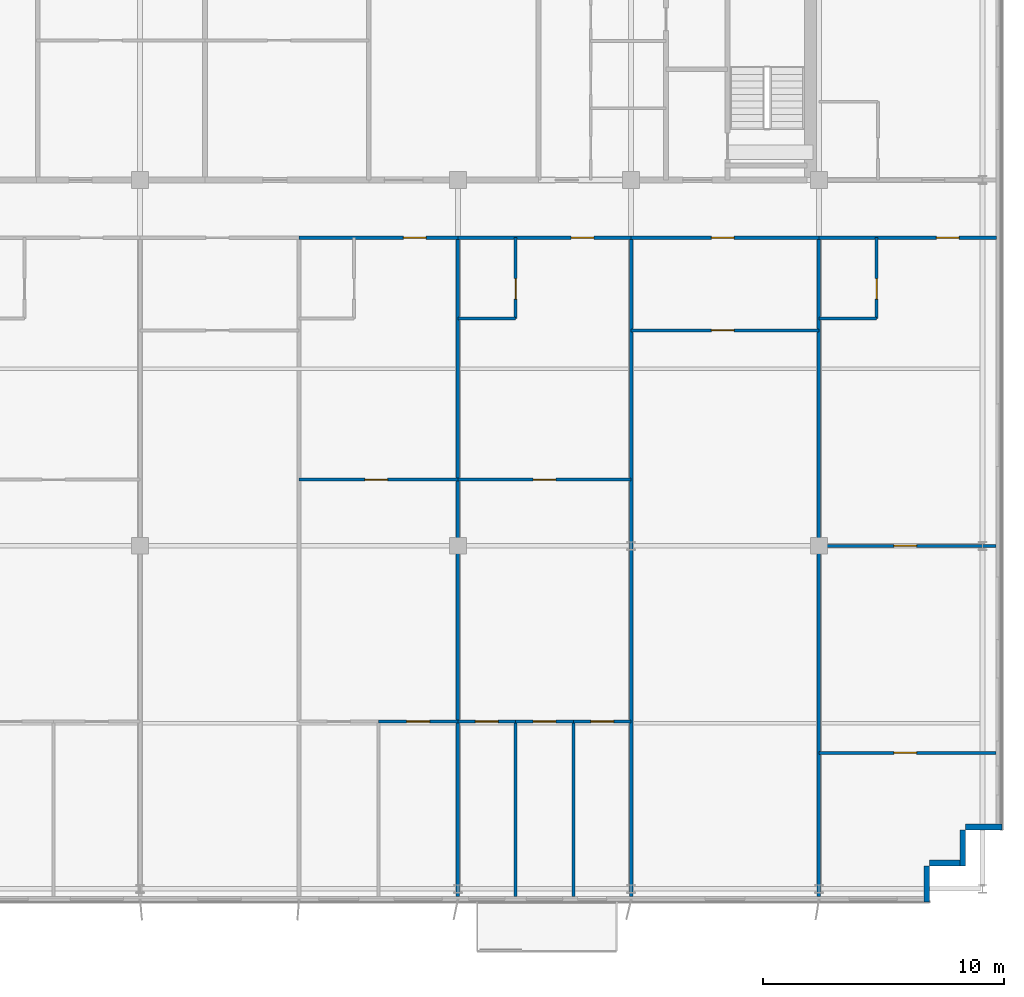
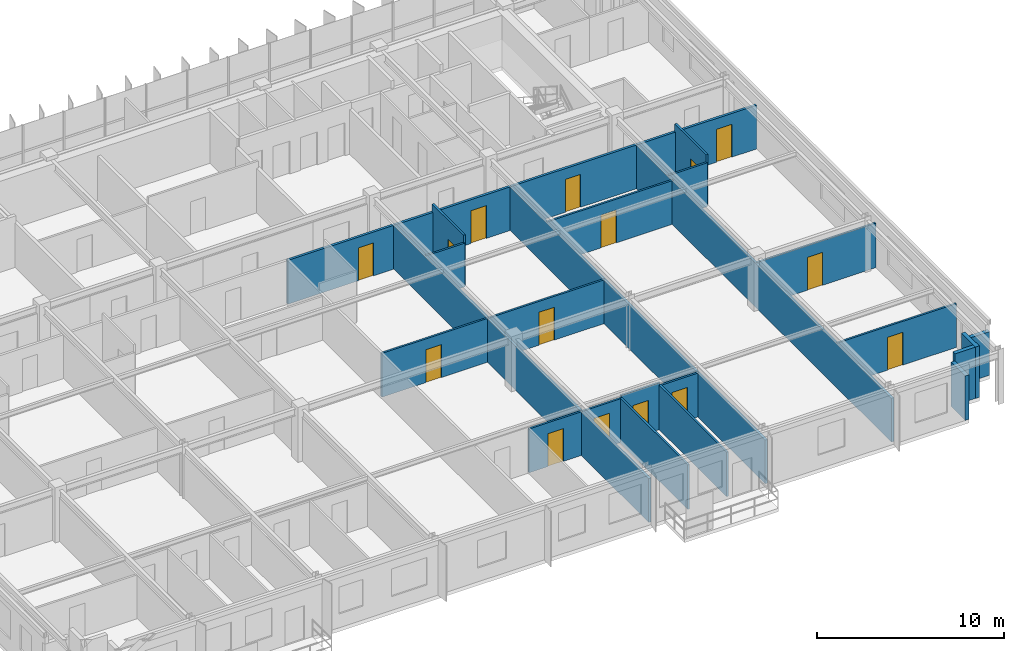
# One storey, part 18 of 23: 26 walls, 15 doors, 15 openings.
"""IFC4 building model written with IfcOpenShell, lengths in metres."""

from ifc_helpers import new_model, si_unit, direction, frame, frame_2d, origin, place, context, subcontext, project, spatial, rectangle, extrude, source, transform, mapped, material, layer, layer_set, type_object, element, fill, save


model = new_model("IFC4")

# Units and contexts
model_context = context("Model", 3, precision=1e-05, world=origin(), true_north=direction((0.0, 1.0)))
body_context = subcontext(model_context, "Body", "Model", "MODEL_VIEW")
ifc_project = project(units=[si_unit("LENGTHUNIT", "METRE"), si_unit("AREAUNIT", "SQUARE_METRE"), si_unit("VOLUMEUNIT", "CUBIC_METRE"), si_unit("PLANEANGLEUNIT", "RADIAN"), si_unit("MASSUNIT", "GRAM", prefix="KILO")], contexts=[model_context])

# Site, building, storey
site_placement = place(None, origin())
site = spatial("IfcSite", under=ifc_project, at=site_placement, CompositionType="ELEMENT")
building_placement = place(site_placement, origin())
building = spatial("IfcBuilding", under=site, at=building_placement, Name="Trelvane Seafront Commons", CompositionType="ELEMENT")
storey_placement = place(building_placement, frame((0.0, 0.0, 222.89990234375)))
storey = spatial("IfcBuildingStorey", under=building, at=storey_placement, Name="L58", CompositionType="ELEMENT", Elevation=222.89990234375)

# Walls
ifc_material_1 = material(Name="Precast concrete C40/50", Category="concrete")
ifc_layer_1 = layer(ifc_material_1, 0.239990234375, Name="ARCH-WALL-EXT240")
ifc_layer_set_1 = layer_set([ifc_layer_1], Name="Precast concrete C40/50")
wall_type_1 = type_object("IfcWallType", Name="ARCH-WALL-EXT240", PredefinedType="SOLIDWALL", material=ifc_layer_set_1)
wall_1_placement = place(storey_placement, frame((66.39990234375, 6.52001953125, 0.0), z_axis=(0.0, 0.0, 1.0), x_axis=(-1.0, 0.0, 0.0)))
element("IfcWall", 1, at=wall_1_placement, inside=storey, type_object=wall_type_1, Name="EW-L58-01177", PredefinedType="SOLIDWALL", context=body_context, shape_type="SweptSolid", body=[
    extrude(rectangle(XDim=1.5, YDim=0.239990234375, at=frame_2d((0.75, 0.0))), origin(), (0.0, 0.0, 1.0), 2.860107421875),
])
for number, where, z_axis, x_axis, name in (
    (2, (64.780029296875, 6.39990234375, 0.0), (0.0, 0.0, 1.0), (0.0, -1.0, 0.0), "EW-L58-01178"),
    (3, (64.89990234375, 5.02001953125, 0.0), (0.0, 0.0, 1.0), (-1.0, 0.0, 0.0), "EW-L58-01179"),
):
    element("IfcWall", number, at=place(storey_placement, frame(where, z_axis=z_axis, x_axis=x_axis)), inside=storey, type_object=wall_type_1, Name=name, PredefinedType="SOLIDWALL", context=body_context, shape_type="SweptSolid", body=[
        extrude(rectangle(XDim=1.5, YDim=0.239990234375, at=frame_2d((0.75, 0.0))), origin(), (0.0, 0.0, 1.0), 3.360107421875),
    ])
wall_2_placement = place(storey_placement, frame((63.280029296875, 4.89990234375, 0.0), z_axis=(0.0, 0.0, 1.0), x_axis=(0.0, -1.0, 0.0)))
element("IfcWall", 4, at=wall_2_placement, inside=storey, type_object=wall_type_1, Name="EW-L58-01180", PredefinedType="SOLIDWALL", context=body_context, shape_type="SweptSolid", body=[
    extrude(rectangle(XDim=1.5, YDim=0.239990234375, at=frame_2d((0.75, 0.0))), origin(), (0.0, 0.0, 1.0), 2.91015625),
])

# Wall, opening, door
ifc_material_2 = material(Name="Gypsum Drywall Acoustic Partition")
ifc_layer_2 = layer(ifc_material_2, 0.1201171875, Name="ARCH-WALL-PART120")
ifc_layer_set_2 = layer_set([ifc_layer_2], Name="Gypsum Drywall Acoustic Partition")
wall_type_2 = type_object("IfcWallType", Name="ARCH-WALL-PART120", PredefinedType="PARTITIONING", material=ifc_layer_set_2)
wall_3_placement = place(storey_placement, frame((37.199951171875, 20.949951171875, 0.0), z_axis=(0.0, 0.0, 1.0), x_axis=(1.0, 0.0, 0.0)))
wall_3 = element("IfcWall", 5, at=wall_3_placement, inside=storey, type_object=wall_type_2, Name="W-L58-U5-KL-081", PredefinedType="PARTITIONING", context=body_context, shape_type="SweptSolid", body=[
    extrude(rectangle(XDim=6.60009765625, YDim=0.1201171875, at=frame_2d((3.300048828125, 0.0))), origin(), (0.0, 0.0, 1.0), 2.860107421875),
])
opening_1_placement = place(wall_3_placement, frame((2.73388671875, 0.0, 0.0)))
opening_1 = element("IfcOpeningElement", 6, at=opening_1_placement, cuts=wall_3, Name="Opening D-L58-51", PredefinedType="OPENING", context=body_context, shape_type="SweptSolid", body=[
    extrude(rectangle(XDim=0.949951171875, YDim=2.14990234375, at=frame_2d((0.47509765625, 1.074951171875))), frame((0.0, 0.070068359375, 0.0), z_axis=(0.0, -1.0, 0.0), x_axis=(1.0, 0.0, 0.0)), (0.0, 0.0, 1.0), 0.14013671875),
])
ifc_material_3 = material(Name="Acoustic timber door leaf", Category="wood")
door_type_1 = type_object("IfcDoorType", Name="ARCH-DR-INT950", OperationType="NOTDEFINED", PredefinedType="DOOR", material=ifc_material_3)
shared_shape_1 = source(origin(), body_context, "Body", "SweptSolid", [
    extrude(rectangle(XDim=0.949951171875, YDim=2.14990234375, at=frame_2d((0.47509765625, 1.074951171875))), frame((0.0, 0.02490234375, 0.0), z_axis=(0.0, -1.0, 0.0), x_axis=(1.0, 0.0, 0.0)), (0.0, 0.0, 1.0), 0.050048828125),
])
door_1_placement = place(opening_1_placement, origin())
door_1 = element("IfcDoor", 7, at=door_1_placement, inside=storey, type_object=door_type_1, Name="L58 Door 51", OperationType="SINGLE_SWING_LEFT", OverallHeight=2.14990234375, OverallWidth=0.949951171875, PredefinedType="DOOR", context=body_context, shape_type="MappedRepresentation", body=[
    mapped(shared_shape_1, transform((0.0, 0.0, 0.0), x_axis=(1.0, 0.0, 0.0), y_axis=(0.0, 1.0, 0.0), z_axis=(0.0, 0.0, 1.0), scale=1.0)),
])
fill(opening_1, door_1)

wall_4_placement = place(storey_placement, frame((40.5, 10.89990234375, 0.0), z_axis=(0.0, 0.0, 1.0), x_axis=(1.0, 0.0, 0.0)))
wall_4 = element("IfcWall", 8, at=wall_4_placement, inside=storey, type_object=wall_type_2, Name="W-L58-U5-YM-2-086", PredefinedType="PARTITIONING", context=body_context, shape_type="SweptSolid", body=[
    extrude(rectangle(XDim=3.300048828125, YDim=0.1201171875, at=frame_2d((1.64990234375, 0.0))), origin(), (0.0, 0.0, 1.0), 2.860107421875),
])
opening_2_placement = place(wall_4_placement, frame((1.175048828125, 0.0, 0.0)))
opening_2 = element("IfcOpeningElement", 9, at=opening_2_placement, cuts=wall_4, Name="Opening D-L58-55", PredefinedType="OPENING", context=body_context, shape_type="SweptSolid", body=[
    extrude(rectangle(XDim=0.949951171875, YDim=2.14990234375, at=frame_2d((0.47509765625, 1.074951171875))), frame((0.0, 0.070068359375, 0.0), z_axis=(0.0, -1.0, 0.0), x_axis=(1.0, 0.0, 0.0)), (0.0, 0.0, 1.0), 0.14013671875),
])
door_2_placement = place(opening_2_placement, origin())
door_2 = element("IfcDoor", 10, at=door_2_placement, inside=storey, type_object=door_type_1, Name="L58 Door 55", OperationType="SINGLE_SWING_LEFT", OverallHeight=2.14990234375, OverallWidth=0.949951171875, PredefinedType="DOOR", context=body_context, shape_type="MappedRepresentation", body=[
    mapped(shared_shape_1, transform((0.0, 0.0, 0.0), x_axis=(1.0, 0.0, 0.0), y_axis=(0.0, 1.0, 0.0), z_axis=(0.0, 0.0, 1.0), scale=1.0)),
])
fill(opening_2, door_2)

wall_5_placement = place(storey_placement, frame((43.800048828125, 20.949951171875, 0.0), z_axis=(0.0, 0.0, 1.0), x_axis=(1.0, 0.0, 0.0)))
wall_5 = element("IfcWall", 11, at=wall_5_placement, inside=storey, type_object=wall_type_2, Name="W-L58-U6-KL-088", PredefinedType="PARTITIONING", context=body_context, shape_type="SweptSolid", body=[
    extrude(rectangle(XDim=7.199951171875, YDim=0.1201171875, at=frame_2d((3.60009765625, 0.0))), origin(), (0.0, 0.0, 1.0), 2.860107421875),
])
opening_3_placement = place(wall_5_placement, frame((3.125, 0.0, 0.0)))
opening_3 = element("IfcOpeningElement", 12, at=opening_3_placement, cuts=wall_5, Name="Opening D-L58-56", PredefinedType="OPENING", context=body_context, shape_type="SweptSolid", body=[
    extrude(rectangle(XDim=0.949951171875, YDim=2.14990234375, at=frame_2d((0.47509765625, 1.074951171875))), frame((0.0, 0.070068359375, 0.0), z_axis=(0.0, -1.0, 0.0), x_axis=(1.0, 0.0, 0.0)), (0.0, 0.0, 1.0), 0.14013671875),
])
door_3_placement = place(opening_3_placement, origin())
door_3 = element("IfcDoor", 13, at=door_3_placement, inside=storey, type_object=door_type_1, Name="L58 Door 56", OperationType="SINGLE_SWING_RIGHT", OverallHeight=2.14990234375, OverallWidth=0.949951171875, PredefinedType="DOOR", context=body_context, shape_type="MappedRepresentation", body=[
    mapped(shared_shape_1, transform((0.0, 0.0, 0.0), x_axis=(1.0, 0.0, 0.0), y_axis=(0.0, 1.0, 0.0), z_axis=(0.0, 0.0, 1.0), scale=1.0)),
])
fill(opening_3, door_3)

wall_6_placement = place(storey_placement, frame((46.199951171875, 27.64990234375, 0.0), z_axis=(0.0, 0.0, 1.0), x_axis=(0.0, 1.0, 0.0)))
wall_6 = element("IfcWall", 14, at=wall_6_placement, inside=storey, type_object=wall_type_2, Name="W-L58-U6-BE-089", PredefinedType="PARTITIONING", context=body_context, shape_type="SweptSolid", body=[
    extrude(rectangle(XDim=3.35009765625, YDim=0.1201171875, at=frame_2d((1.675048828125, 0.0))), origin(), (0.0, 0.0, 1.0), 3.360107421875),
])
opening_4_placement = place(wall_6_placement, frame((0.800048828125, 0.0, 0.0)))
opening_4 = element("IfcOpeningElement", 15, at=opening_4_placement, cuts=wall_6, Name="Opening D-L58-57", PredefinedType="OPENING", context=body_context, shape_type="SweptSolid", body=[
    extrude(rectangle(XDim=0.85009765625, YDim=2.10009765625, at=frame_2d((0.425048828125, 1.050048828125))), frame((0.0, 0.070068359375, 0.0), z_axis=(0.0, -1.0, 0.0), x_axis=(1.0, 0.0, 0.0)), (0.0, 0.0, 1.0), 0.14013671875),
])
door_type_2 = type_object("IfcDoorType", Name="ARCH-DR-INT850", OperationType="NOTDEFINED", PredefinedType="DOOR", material=ifc_material_3)
shared_shape_2 = source(origin(), body_context, "Body", "SweptSolid", [
    extrude(rectangle(XDim=0.85009765625, YDim=2.10009765625, at=frame_2d((0.425048828125, 1.050048828125))), frame((0.0, 0.02490234375, 0.0), z_axis=(0.0, -1.0, 0.0), x_axis=(1.0, 0.0, 0.0)), (0.0, 0.0, 1.0), 0.050048828125),
])
door_4_placement = place(opening_4_placement, origin())
door_4 = element("IfcDoor", 16, at=door_4_placement, inside=storey, type_object=door_type_2, Name="L58 Door 57", OperationType="SINGLE_SWING_LEFT", OverallHeight=2.10009765625, OverallWidth=0.85009765625, PredefinedType="DOOR", context=body_context, shape_type="MappedRepresentation", body=[
    mapped(shared_shape_2, transform((0.0, 0.0, 0.0), x_axis=(1.0, 0.0, 0.0), y_axis=(0.0, 1.0, 0.0), z_axis=(0.0, 0.0, 1.0), scale=1.0)),
])
fill(opening_4, door_4)

# Wall
wall_7_placement = place(storey_placement, frame((43.800048828125, 27.64990234375, 0.0), z_axis=(0.0, 0.0, 1.0), x_axis=(1.0, 0.0, 0.0)))
element("IfcWall", 17, at=wall_7_placement, inside=storey, type_object=wall_type_2, Name="W-L58-U6-BS-090", PredefinedType="PARTITIONING", context=body_context, shape_type="SweptSolid", body=[
    extrude(rectangle(XDim=2.39990234375, YDim=0.1201171875, at=frame_2d((1.199951171875, 0.0))), origin(), (0.0, 0.0, 1.0), 2.860107421875),
])

# Wall, opening, door
wall_8_placement = place(storey_placement, frame((43.800048828125, 10.89990234375, 0.0), z_axis=(0.0, 0.0, 1.0), x_axis=(1.0, 0.0, 0.0)))
wall_8 = element("IfcWall", 18, at=wall_8_placement, inside=storey, type_object=wall_type_2, Name="W-L58-U6-YM-1-092", PredefinedType="PARTITIONING", context=body_context, shape_type="SweptSolid", body=[
    extrude(rectangle(XDim=2.39990234375, YDim=0.1201171875, at=frame_2d((1.199951171875, 0.0))), origin(), (0.0, 0.0, 1.0), 2.860107421875),
])
opening_5_placement = place(wall_8_placement, frame((0.72509765625, 0.0, 0.0)))
opening_5 = element("IfcOpeningElement", 19, at=opening_5_placement, cuts=wall_8, Name="Opening D-L58-59", PredefinedType="OPENING", context=body_context, shape_type="SweptSolid", body=[
    extrude(rectangle(XDim=0.949951171875, YDim=2.14990234375, at=frame_2d((0.47509765625, 1.074951171875))), frame((0.0, 0.070068359375, 0.0), z_axis=(0.0, -1.0, 0.0), x_axis=(1.0, 0.0, 0.0)), (0.0, 0.0, 1.0), 0.14013671875),
])
door_5_placement = place(opening_5_placement, origin())
door_5 = element("IfcDoor", 20, at=door_5_placement, inside=storey, type_object=door_type_1, Name="L58 Door 59", OperationType="SINGLE_SWING_LEFT", OverallHeight=2.14990234375, OverallWidth=0.949951171875, PredefinedType="DOOR", context=body_context, shape_type="MappedRepresentation", body=[
    mapped(shared_shape_1, transform((0.0, 0.0, 0.0), x_axis=(1.0, 0.0, 0.0), y_axis=(0.0, 1.0, 0.0), z_axis=(0.0, 0.0, 1.0), scale=1.0)),
])
fill(opening_5, door_5)

wall_9_placement = place(storey_placement, frame((46.199951171875, 10.89990234375, 0.0), z_axis=(0.0, 0.0, 1.0), x_axis=(1.0, 0.0, 0.0)))
wall_9 = element("IfcWall", 21, at=wall_9_placement, inside=storey, type_object=wall_type_2, Name="W-L58-U6-YM-2-093", PredefinedType="PARTITIONING", context=body_context, shape_type="SweptSolid", body=[
    extrude(rectangle(XDim=2.400146484375, YDim=0.1201171875, at=frame_2d((1.2001953125, 0.0))), origin(), (0.0, 0.0, 1.0), 3.06005859375),
])
opening_6_placement = place(wall_9_placement, frame((0.72509765625, 0.0, 0.0)))
opening_6 = element("IfcOpeningElement", 22, at=opening_6_placement, cuts=wall_9, Name="Opening D-L58-60", PredefinedType="OPENING", context=body_context, shape_type="SweptSolid", body=[
    extrude(rectangle(XDim=0.949951171875, YDim=2.14990234375, at=frame_2d((0.47509765625, 1.074951171875))), frame((0.0, 0.070068359375, 0.0), z_axis=(0.0, -1.0, 0.0), x_axis=(1.0, 0.0, 0.0)), (0.0, 0.0, 1.0), 0.14013671875),
])
door_6_placement = place(opening_6_placement, origin())
door_6 = element("IfcDoor", 23, at=door_6_placement, inside=storey, type_object=door_type_1, Name="L58 Door 60", OperationType="SINGLE_SWING_RIGHT", OverallHeight=2.14990234375, OverallWidth=0.949951171875, PredefinedType="DOOR", context=body_context, shape_type="MappedRepresentation", body=[
    mapped(shared_shape_1, transform((0.0, 0.0, 0.0), x_axis=(1.0, 0.0, 0.0), y_axis=(0.0, 1.0, 0.0), z_axis=(0.0, 0.0, 1.0), scale=1.0)),
])
fill(opening_6, door_6)

# Wall
wall_10_placement = place(storey_placement, frame((46.199951171875, 3.625, 0.0), z_axis=(0.0, 0.0, 1.0), x_axis=(0.0, 1.0, 0.0)))
element("IfcWall", 24, at=wall_10_placement, inside=storey, type_object=wall_type_2, Name="W-L58-U6-BDV-1-094", PredefinedType="PARTITIONING", context=body_context, shape_type="SweptSolid", body=[
    extrude(rectangle(XDim=7.27490234375, YDim=0.1201171875, at=frame_2d((3.637451171875, 0.0))), origin(), (0.0, 0.0, 1.0), 2.91015625),
])

# Wall, opening, door
wall_11_placement = place(storey_placement, frame((48.60009765625, 10.89990234375, 0.0), z_axis=(0.0, 0.0, 1.0), x_axis=(1.0, 0.0, 0.0)))
wall_11 = element("IfcWall", 25, at=wall_11_placement, inside=storey, type_object=wall_type_2, Name="W-L58-U6-YM-3-095", PredefinedType="PARTITIONING", context=body_context, shape_type="SweptSolid", body=[
    extrude(rectangle(XDim=2.39990234375, YDim=0.1201171875, at=frame_2d((1.199951171875, 0.0))), origin(), (0.0, 0.0, 1.0), 2.860107421875),
])
opening_7_placement = place(wall_11_placement, frame((0.72509765625, 0.0, 0.0)))
opening_7 = element("IfcOpeningElement", 26, at=opening_7_placement, cuts=wall_11, Name="Opening D-L58-61", PredefinedType="OPENING", context=body_context, shape_type="SweptSolid", body=[
    extrude(rectangle(XDim=0.949951171875, YDim=2.14990234375, at=frame_2d((0.47509765625, 1.074951171875))), frame((0.0, 0.070068359375, 0.0), z_axis=(0.0, -1.0, 0.0), x_axis=(1.0, 0.0, 0.0)), (0.0, 0.0, 1.0), 0.14013671875),
])
door_7_placement = place(opening_7_placement, origin())
door_7 = element("IfcDoor", 27, at=door_7_placement, inside=storey, type_object=door_type_1, Name="L58 Door 61", OperationType="SINGLE_SWING_LEFT", OverallHeight=2.14990234375, OverallWidth=0.949951171875, PredefinedType="DOOR", context=body_context, shape_type="MappedRepresentation", body=[
    mapped(shared_shape_1, transform((0.0, 0.0, 0.0), x_axis=(1.0, 0.0, 0.0), y_axis=(0.0, 1.0, 0.0), z_axis=(0.0, 0.0, 1.0), scale=1.0)),
])
fill(opening_7, door_7)

# Wall
wall_12_placement = place(storey_placement, frame((48.60009765625, 3.625, 0.0), z_axis=(0.0, 0.0, 1.0), x_axis=(0.0, 1.0, 0.0)))
element("IfcWall", 28, at=wall_12_placement, inside=storey, type_object=wall_type_2, Name="W-L58-U6-BDV-2-096", PredefinedType="PARTITIONING", context=body_context, shape_type="SweptSolid", body=[
    extrude(rectangle(XDim=7.27490234375, YDim=0.1201171875, at=frame_2d((3.637451171875, 0.0))), origin(), (0.0, 0.0, 1.0), 2.91015625),
])

# Wall, opening, door
wall_13_placement = place(storey_placement, frame((51.0, 27.14990234375, 0.0), z_axis=(0.0, 0.0, 1.0), x_axis=(1.0, 0.0, 0.0)))
wall_13 = element("IfcWall", 29, at=wall_13_placement, inside=storey, type_object=wall_type_2, Name="W-L58-U7-DIV-098", PredefinedType="PARTITIONING", context=body_context, shape_type="SweptSolid", body=[
    extrude(rectangle(XDim=7.800048828125, YDim=0.1201171875, at=frame_2d((3.89990234375, 0.0))), origin(), (0.0, 0.0, 1.0), 2.860107421875),
])
opening_8_placement = place(wall_13_placement, frame((3.3330078125, 0.0, 0.0)))
opening_8 = element("IfcOpeningElement", 30, at=opening_8_placement, cuts=wall_13, Name="Opening D-L58-63", PredefinedType="OPENING", context=body_context, shape_type="SweptSolid", body=[
    extrude(rectangle(XDim=0.949951171875, YDim=2.14990234375, at=frame_2d((0.47509765625, 1.074951171875))), frame((0.0, 0.070068359375, 0.0), z_axis=(0.0, -1.0, 0.0), x_axis=(1.0, 0.0, 0.0)), (0.0, 0.0, 1.0), 0.14013671875),
])
door_8_placement = place(opening_8_placement, origin())
door_8 = element("IfcDoor", 31, at=door_8_placement, inside=storey, type_object=door_type_1, Name="L58 Door 63", OperationType="SINGLE_SWING_LEFT", OverallHeight=2.14990234375, OverallWidth=0.949951171875, PredefinedType="DOOR", context=body_context, shape_type="MappedRepresentation", body=[
    mapped(shared_shape_1, transform((0.0, 0.0, 0.0), x_axis=(1.0, 0.0, 0.0), y_axis=(0.0, 1.0, 0.0), z_axis=(0.0, 0.0, 1.0), scale=1.0)),
])
fill(opening_8, door_8)

wall_14_placement = place(storey_placement, frame((58.800048828125, 18.199951171875, 0.0), z_axis=(0.0, 0.0, 1.0), x_axis=(1.0, 0.0, 0.0)))
wall_14 = element("IfcWall", 32, at=wall_14_placement, inside=storey, type_object=wall_type_2, Name="W-L58-U8-KL-099", PredefinedType="PARTITIONING", context=body_context, shape_type="SweptSolid", body=[
    extrude(rectangle(XDim=7.35986328125, YDim=0.1201171875, at=frame_2d((3.679931640625, 0.0))), origin(), (0.0, 0.0, 1.0), 2.91015625),
])
opening_9_placement = place(wall_14_placement, frame((3.114013671875, 0.0, 0.0)))
opening_9 = element("IfcOpeningElement", 33, at=opening_9_placement, cuts=wall_14, Name="Opening D-L58-64", PredefinedType="OPENING", context=body_context, shape_type="SweptSolid", body=[
    extrude(rectangle(XDim=0.949951171875, YDim=2.14990234375, at=frame_2d((0.47509765625, 1.074951171875))), frame((0.0, 0.070068359375, 0.0), z_axis=(0.0, -1.0, 0.0), x_axis=(1.0, 0.0, 0.0)), (0.0, 0.0, 1.0), 0.14013671875),
])
door_9_placement = place(opening_9_placement, origin())
door_9 = element("IfcDoor", 34, at=door_9_placement, inside=storey, type_object=door_type_1, Name="L58 Door 64", OperationType="SINGLE_SWING_RIGHT", OverallHeight=2.14990234375, OverallWidth=0.949951171875, PredefinedType="DOOR", context=body_context, shape_type="MappedRepresentation", body=[
    mapped(shared_shape_1, transform((0.0, 0.0, 0.0), x_axis=(1.0, 0.0, 0.0), y_axis=(0.0, 1.0, 0.0), z_axis=(0.0, 0.0, 1.0), scale=1.0)),
])
fill(opening_9, door_9)

wall_15_placement = place(storey_placement, frame((61.199951171875, 27.64990234375, 0.0), z_axis=(0.0, 0.0, 1.0), x_axis=(0.0, 1.0, 0.0)))
wall_15 = element("IfcWall", 35, at=wall_15_placement, inside=storey, type_object=wall_type_2, Name="W-L58-U8-BE-100", PredefinedType="PARTITIONING", context=body_context, shape_type="SweptSolid", body=[
    extrude(rectangle(XDim=3.35009765625, YDim=0.1201171875, at=frame_2d((1.675048828125, 0.0))), origin(), (0.0, 0.0, 1.0), 3.360107421875),
])
opening_10_placement = place(wall_15_placement, frame((0.800048828125, 0.0, 0.0)))
opening_10 = element("IfcOpeningElement", 36, at=opening_10_placement, cuts=wall_15, Name="Opening D-L58-65", PredefinedType="OPENING", context=body_context, shape_type="SweptSolid", body=[
    extrude(rectangle(XDim=0.85009765625, YDim=2.10009765625, at=frame_2d((0.425048828125, 1.050048828125))), frame((0.0, 0.070068359375, 0.0), z_axis=(0.0, -1.0, 0.0), x_axis=(1.0, 0.0, 0.0)), (0.0, 0.0, 1.0), 0.14013671875),
])
door_10_placement = place(opening_10_placement, origin())
door_10 = element("IfcDoor", 37, at=door_10_placement, inside=storey, type_object=door_type_2, Name="L58 Door 65", OperationType="SINGLE_SWING_LEFT", OverallHeight=2.10009765625, OverallWidth=0.85009765625, PredefinedType="DOOR", context=body_context, shape_type="MappedRepresentation", body=[
    mapped(shared_shape_2, transform((0.0, 0.0, 0.0), x_axis=(1.0, 0.0, 0.0), y_axis=(0.0, 1.0, 0.0), z_axis=(0.0, 0.0, 1.0), scale=1.0)),
])
fill(opening_10, door_10)

# Wall
wall_16_placement = place(storey_placement, frame((58.800048828125, 27.64990234375, 0.0), z_axis=(0.0, 0.0, 1.0), x_axis=(1.0, 0.0, 0.0)))
element("IfcWall", 38, at=wall_16_placement, inside=storey, type_object=wall_type_2, Name="W-L58-U8-BS-101", PredefinedType="PARTITIONING", context=body_context, shape_type="SweptSolid", body=[
    extrude(rectangle(XDim=2.39990234375, YDim=0.1201171875, at=frame_2d((1.199951171875, 0.0))), origin(), (0.0, 0.0, 1.0), 2.860107421875),
])

# Wall, opening, door
wall_17_placement = place(storey_placement, frame((58.800048828125, 9.60009765625, 0.0), z_axis=(0.0, 0.0, 1.0), x_axis=(1.0, 0.0, 0.0)))
wall_17 = element("IfcWall", 39, at=wall_17_placement, inside=storey, type_object=wall_type_2, Name="W-L58-U8-YM-1-103", PredefinedType="PARTITIONING", context=body_context, shape_type="SweptSolid", body=[
    extrude(rectangle(XDim=7.35986328125, YDim=0.1201171875, at=frame_2d((3.679931640625, 0.0))), origin(), (0.0, 0.0, 1.0), 2.860107421875),
])
opening_11_placement = place(wall_17_placement, frame((3.114013671875, 0.0, 0.0)))
opening_11 = element("IfcOpeningElement", 40, at=opening_11_placement, cuts=wall_17, Name="Opening D-L58-67", PredefinedType="OPENING", context=body_context, shape_type="SweptSolid", body=[
    extrude(rectangle(XDim=0.949951171875, YDim=2.14990234375, at=frame_2d((0.47509765625, 1.074951171875))), frame((0.0, 0.070068359375, 0.0), z_axis=(0.0, -1.0, 0.0), x_axis=(1.0, 0.0, 0.0)), (0.0, 0.0, 1.0), 0.14013671875),
])
door_11_placement = place(opening_11_placement, origin())
door_11 = element("IfcDoor", 41, at=door_11_placement, inside=storey, type_object=door_type_1, Name="L58 Door 67", OperationType="SINGLE_SWING_LEFT", OverallHeight=2.14990234375, OverallWidth=0.949951171875, PredefinedType="DOOR", context=body_context, shape_type="MappedRepresentation", body=[
    mapped(shared_shape_1, transform((0.0, 0.0, 0.0), x_axis=(1.0, 0.0, 0.0), y_axis=(0.0, 1.0, 0.0), z_axis=(0.0, 0.0, 1.0), scale=1.0)),
])
fill(opening_11, door_11)

# Walls
ifc_layer_3 = layer(ifc_material_2, 0.14990234375, Name="ARCH-WALL-PART150")
ifc_layer_set_3 = layer_set([ifc_layer_3], Name="Gypsum Drywall Acoustic Partition")
wall_type_3 = type_object("IfcWallType", Name="ARCH-WALL-PART150", PredefinedType="PARTITIONING", material=ifc_layer_set_3)
for number, where, z_axis, x_axis, name in (
    (42, (43.800048828125, 3.625, 0.0), (0.0, 0.0, 1.0), (0.0, 1.0, 0.0), "W-L58-PW-5-055"),
    (43, (51.0, 3.625, 0.0), (0.0, 0.0, 1.0), (0.0, 1.0, 0.0), "W-L58-PW-6-056"),
    (44, (58.800048828125, 3.625, 0.0), (0.0, 0.0, 1.0), (0.0, 1.0, 0.0), "W-L58-PW-7-057"),
):
    element("IfcWall", number, at=place(storey_placement, frame(where, z_axis=z_axis, x_axis=x_axis)), inside=storey, type_object=wall_type_3, Name=name, PredefinedType="PARTITIONING", context=body_context, shape_type="SweptSolid", body=[
        extrude(rectangle(XDim=27.375, YDim=0.14990234375, at=frame_2d((13.6875, 0.0))), origin(), (0.0, 0.0, 1.0), 2.860107421875),
    ])

# Wall, opening, door
wall_18_placement = place(storey_placement, frame((37.199951171875, 31.0, 0.0), z_axis=(0.0, 0.0, 1.0), x_axis=(1.0, 0.0, 0.0)))
wall_18 = element("IfcWall", 45, at=wall_18_placement, inside=storey, type_object=wall_type_3, Name="W-L58-CS-BAY-5-084", PredefinedType="PARTITIONING", context=body_context, shape_type="SweptSolid", body=[
    extrude(rectangle(XDim=6.60009765625, YDim=0.14990234375, at=frame_2d((3.300048828125, 0.0))), origin(), (0.0, 0.0, 1.0), 2.860107421875),
])
opening_12_placement = place(wall_18_placement, frame((4.3369140625, 0.0, 0.0)))
opening_12 = element("IfcOpeningElement", 46, at=opening_12_placement, cuts=wall_18, Name="Opening FD-L58-53", PredefinedType="OPENING", context=body_context, shape_type="SweptSolid", body=[
    extrude(rectangle(XDim=0.949951171875, YDim=2.14990234375, at=frame_2d((0.47509765625, 1.074951171875))), frame((0.0, 0.0849609375, 0.0), z_axis=(0.0, -1.0, 0.0), x_axis=(1.0, 0.0, 0.0)), (0.0, 0.0, 1.0), 0.169921875),
])
ifc_material_4 = material(Name="Powder-coated aluminium frame", Category="aluminium")
door_type_3 = type_object("IfcDoorType", Name="ARCH-DR-FD60-950", OperationType="NOTDEFINED", PredefinedType="DOOR", material=ifc_material_4)
door_12_placement = place(opening_12_placement, origin())
door_12 = element("IfcDoor", 47, at=door_12_placement, inside=storey, type_object=door_type_3, Name="L58 Unit 05 Entrance Door", OperationType="SINGLE_SWING_LEFT", OverallHeight=2.14990234375, OverallWidth=0.949951171875, PredefinedType="DOOR", context=body_context, shape_type="MappedRepresentation", body=[
    mapped(shared_shape_1, transform((0.0, 0.0, 0.0), x_axis=(1.0, 0.0, 0.0), y_axis=(0.0, 1.0, 0.0), z_axis=(0.0, 0.0, 1.0), scale=1.0)),
])
fill(opening_12, door_12)

wall_19_placement = place(storey_placement, frame((43.800048828125, 31.0, 0.0), z_axis=(0.0, 0.0, 1.0), x_axis=(1.0, 0.0, 0.0)))
wall_19 = element("IfcWall", 48, at=wall_19_placement, inside=storey, type_object=wall_type_3, Name="W-L58-CS-BAY-6-091", PredefinedType="PARTITIONING", context=body_context, shape_type="SweptSolid", body=[
    extrude(rectangle(XDim=7.199951171875, YDim=0.14990234375, at=frame_2d((3.60009765625, 0.0))), origin(), (0.0, 0.0, 1.0), 2.860107421875),
])
opening_13_placement = place(wall_19_placement, frame((4.7060546875, 0.0, 0.0)))
opening_13 = element("IfcOpeningElement", 49, at=opening_13_placement, cuts=wall_19, Name="Opening FD-L58-58", PredefinedType="OPENING", context=body_context, shape_type="SweptSolid", body=[
    extrude(rectangle(XDim=0.949951171875, YDim=2.14990234375, at=frame_2d((0.47509765625, 1.074951171875))), frame((0.0, 0.0849609375, 0.0), z_axis=(0.0, -1.0, 0.0), x_axis=(1.0, 0.0, 0.0)), (0.0, 0.0, 1.0), 0.169921875),
])
door_13_placement = place(opening_13_placement, origin())
door_13 = element("IfcDoor", 50, at=door_13_placement, inside=storey, type_object=door_type_3, Name="L58 Unit 06 Entrance Door", OperationType="SINGLE_SWING_RIGHT", OverallHeight=2.14990234375, OverallWidth=0.949951171875, PredefinedType="DOOR", context=body_context, shape_type="MappedRepresentation", body=[
    mapped(shared_shape_1, transform((0.0, 0.0, 0.0), x_axis=(1.0, 0.0, 0.0), y_axis=(0.0, 1.0, 0.0), z_axis=(0.0, 0.0, 1.0), scale=1.0)),
])
fill(opening_13, door_13)

wall_20_placement = place(storey_placement, frame((51.0, 31.0, 0.0), z_axis=(0.0, 0.0, 1.0), x_axis=(1.0, 0.0, 0.0)))
wall_20 = element("IfcWall", 51, at=wall_20_placement, inside=storey, type_object=wall_type_3, Name="W-L58-CS-BAY-7-097", PredefinedType="PARTITIONING", context=body_context, shape_type="SweptSolid", body=[
    extrude(rectangle(XDim=7.800048828125, YDim=0.14990234375, at=frame_2d((3.89990234375, 0.0))), origin(), (0.0, 0.0, 1.0), 2.860107421875),
])
opening_14_placement = place(wall_20_placement, frame((3.3330078125, 0.0, 0.0)))
opening_14 = element("IfcOpeningElement", 52, at=opening_14_placement, cuts=wall_20, Name="Opening FD-L58-62", PredefinedType="OPENING", context=body_context, shape_type="SweptSolid", body=[
    extrude(rectangle(XDim=0.949951171875, YDim=2.14990234375, at=frame_2d((0.47509765625, 1.074951171875))), frame((0.0, 0.0849609375, 0.0), z_axis=(0.0, -1.0, 0.0), x_axis=(1.0, 0.0, 0.0)), (0.0, 0.0, 1.0), 0.169921875),
])
door_14_placement = place(opening_14_placement, origin())
door_14 = element("IfcDoor", 53, at=door_14_placement, inside=storey, type_object=door_type_3, Name="L58 Bay 07 Entrance Door", OperationType="SINGLE_SWING_RIGHT", OverallHeight=2.14990234375, OverallWidth=0.949951171875, PredefinedType="DOOR", context=body_context, shape_type="MappedRepresentation", body=[
    mapped(shared_shape_1, transform((0.0, 0.0, 0.0), x_axis=(1.0, 0.0, 0.0), y_axis=(0.0, 1.0, 0.0), z_axis=(0.0, 0.0, 1.0), scale=1.0)),
])
fill(opening_14, door_14)

wall_21_placement = place(storey_placement, frame((58.800048828125, 31.0, 0.0), z_axis=(0.0, 0.0, 1.0), x_axis=(1.0, 0.0, 0.0)))
wall_21 = element("IfcWall", 54, at=wall_21_placement, inside=storey, type_object=wall_type_3, Name="W-L58-CS-BAY-8-102", PredefinedType="PARTITIONING", context=body_context, shape_type="SweptSolid", body=[
    extrude(rectangle(XDim=7.375, YDim=0.14990234375, at=frame_2d((3.6875, 0.0))), origin(), (0.0, 0.0, 1.0), 2.860107421875),
])
opening_15_placement = place(wall_21_placement, frame((4.876953125, 0.0, 0.0)))
opening_15 = element("IfcOpeningElement", 55, at=opening_15_placement, cuts=wall_21, Name="Opening FD-L58-66", PredefinedType="OPENING", context=body_context, shape_type="SweptSolid", body=[
    extrude(rectangle(XDim=0.949951171875, YDim=2.14990234375, at=frame_2d((0.47509765625, 1.074951171875))), frame((0.0, 0.0849609375, 0.0), z_axis=(0.0, -1.0, 0.0), x_axis=(1.0, 0.0, 0.0)), (0.0, 0.0, 1.0), 0.169921875),
])
door_15_placement = place(opening_15_placement, origin())
door_15 = element("IfcDoor", 56, at=door_15_placement, inside=storey, type_object=door_type_3, Name="L58 Unit 08 Entrance Door", OperationType="SINGLE_SWING_RIGHT", OverallHeight=2.14990234375, OverallWidth=0.949951171875, PredefinedType="DOOR", context=body_context, shape_type="MappedRepresentation", body=[
    mapped(shared_shape_1, transform((0.0, 0.0, 0.0), x_axis=(1.0, 0.0, 0.0), y_axis=(0.0, 1.0, 0.0), z_axis=(0.0, 0.0, 1.0), scale=1.0)),
])
fill(opening_15, door_15)

save(model, "model.ifc")
